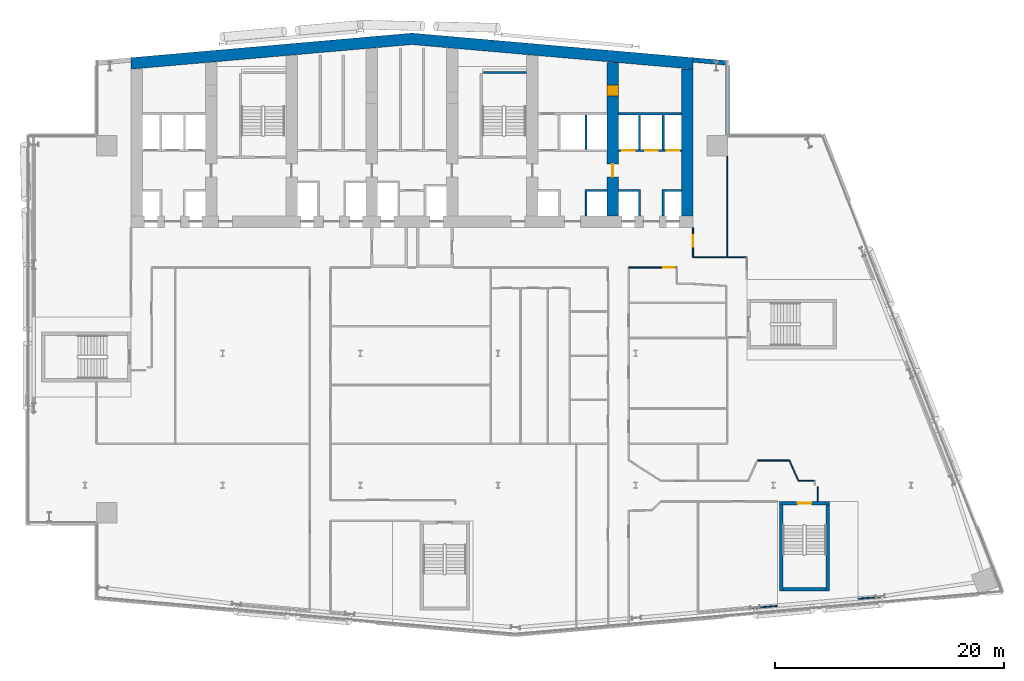
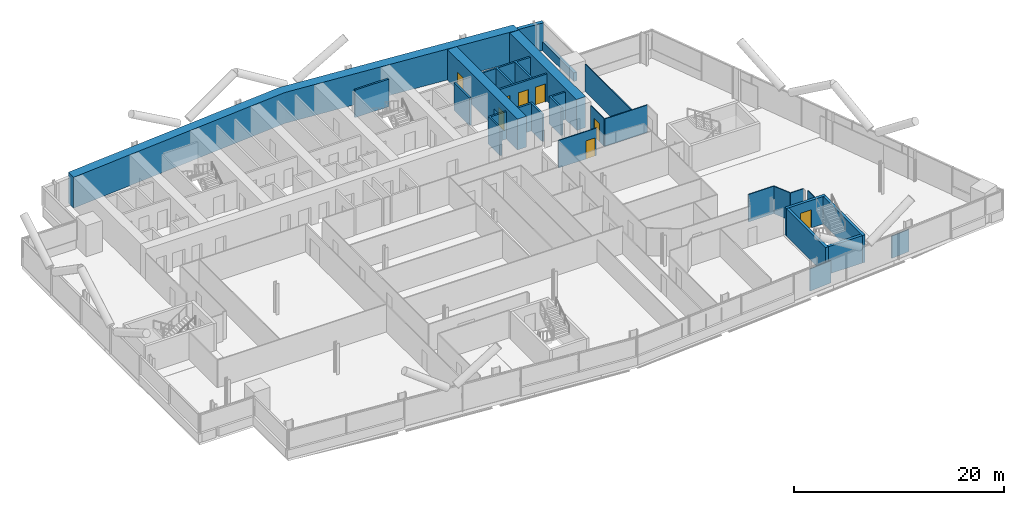
# One storey, part 18 of 27: 26 walls, 8 doors, 8 openings.
"""IFC4 building model written with IfcOpenShell, lengths in metres."""

from ifc_helpers import new_model, si_unit, direction, frame, frame_2d, origin, place, context, subcontext, project, spatial, polyline, rectangle, outline, extrude, material, layer, layer_set, type_object, element, fill, save


model = new_model("IFC4")

# Units and contexts
model_context = context("Model", 3, precision=1e-05, world=origin(), true_north=direction((0.0, 1.0)))
body_context = subcontext(model_context, "Body", "Model", "MODEL_VIEW")
ifc_project = project(units=[si_unit("LENGTHUNIT", "METRE"), si_unit("AREAUNIT", "SQUARE_METRE"), si_unit("VOLUMEUNIT", "CUBIC_METRE"), si_unit("PLANEANGLEUNIT", "RADIAN"), si_unit("MASSUNIT", "GRAM", prefix="KILO")], contexts=[model_context])

# Site, building, storey
site_placement = place(None, origin())
site = spatial("IfcSite", under=ifc_project, at=site_placement, CompositionType="ELEMENT")
building_placement = place(site_placement, origin())
building = spatial("IfcBuilding", under=site, at=building_placement, Name="Wharfspan Tower", CompositionType="ELEMENT")
storey_placement = place(building_placement, frame((0.0, 0.0, 118.300049)))
storey = spatial("IfcBuildingStorey", under=building, at=storey_placement, Name="L27", CompositionType="ELEMENT", Elevation=118.300049)

# Wall, opening, door
ifc_material_1 = material(Name="Gypsum board on steel studs", Category="steel")
ifc_layer_1 = layer(ifc_material_1, 0.100098)
ifc_layer_set_1 = layer_set([ifc_layer_1], Name="Gypsum board on steel studs")
wall_type_1 = type_object("IfcWallType", Name="Compartment wall 100 EI 60", PredefinedType="PARTITIONING", material=ifc_layer_set_1)
wall_1_placement = place(storey_placement, frame((59.399902, 30.5, 0.0), z_axis=(0.0, 0.0, 1.0), x_axis=(1.0, 0.0, 0.0)))
wall_1 = element("IfcWall", 1, at=wall_1_placement, inside=storey, type_object=wall_type_1, Name="Partition L27.w041", PredefinedType="PARTITIONING", context=body_context, shape_type="SweptSolid", body=[
    extrude(rectangle(XDim=4.175049, YDim=0.100098, at=frame_2d((2.087402, 0.0))), origin(), (0.0, 0.0, 1.0), 3.199951),
])
opening_1_placement = place(wall_1_placement, frame((3.024902, 0.0, 0.0)))
opening_1 = element("IfcOpeningElement", 2, at=opening_1_placement, cuts=wall_1, Name="Opening B3-25", PredefinedType="OPENING", context=body_context, shape_type="SweptSolid", body=[
    extrude(rectangle(XDim=1.0, YDim=2.100098, at=frame_2d((0.5, 1.050049))), frame((0.0, 0.060059, 0.0), z_axis=(0.0, -1.0, 0.0), x_axis=(1.0, 0.0, 0.0)), (0.0, 0.0, 1.0), 0.120117),
])
ifc_material_2 = material(Name="Fire-rated timber door leaf in steel frame", Category="steel")
door_type_1 = type_object("IfcDoorType", Name="Door 1000 FD30S Right", OperationType="SINGLE_SWING_RIGHT", PredefinedType="DOOR", material=ifc_material_2)
door_1_placement = place(opening_1_placement, origin())
door_1 = element("IfcDoor", 3, at=door_1_placement, inside=storey, type_object=door_type_1, Name="Door B3-25", OperationType="SINGLE_SWING_RIGHT", OverallHeight=2.100098, OverallWidth=1.0, PredefinedType="DOOR", context=body_context, shape_type="SweptSolid", body=[
    extrude(rectangle(XDim=1.0, YDim=2.100098, at=frame_2d((0.5, 1.050049))), frame((0.0, 0.024902, 0.0), z_axis=(0.0, -1.0, 0.0), x_axis=(1.0, 0.0, 0.0)), (0.0, 0.0, 1.0), 0.050049),
])
fill(opening_1, door_1)

wall_2_placement = place(storey_placement, frame((65.0, 31.399902, 0.0), z_axis=(0.0, 0.0, 1.0), x_axis=(0.0, 1.0, 0.0)))
wall_2 = element("IfcWall", 4, at=wall_2_placement, inside=storey, type_object=wall_type_1, Name="Partition L27.w048", PredefinedType="PARTITIONING", context=body_context, shape_type="SweptSolid", body=[
    extrude(rectangle(XDim=2.580078, YDim=0.100098, at=frame_2d((1.290039, 0.0))), origin(), (0.0, 0.0, 1.0), 3.199951),
])
opening_2_placement = place(wall_2_placement, frame((0.899902, 0.0, 0.0)))
opening_2 = element("IfcOpeningElement", 5, at=opening_2_placement, cuts=wall_2, Name="Opening B3-27", PredefinedType="OPENING", context=body_context, shape_type="SweptSolid", body=[
    extrude(rectangle(XDim=1.0, YDim=2.100098, at=frame_2d((0.5, 1.050049))), frame((0.0, 0.060059, 0.0), z_axis=(0.0, -1.0, 0.0), x_axis=(1.0, 0.0, 0.0)), (0.0, 0.0, 1.0), 0.120117),
])
door_2_placement = place(opening_2_placement, origin())
door_2 = element("IfcDoor", 6, at=door_2_placement, inside=storey, type_object=door_type_1, Name="Door B3-27", OperationType="SINGLE_SWING_RIGHT", OverallHeight=2.100098, OverallWidth=1.0, PredefinedType="DOOR", context=body_context, shape_type="SweptSolid", body=[
    extrude(rectangle(XDim=1.0, YDim=2.100098, at=frame_2d((0.5, 1.050049))), frame((0.0, 0.024902, 0.0), z_axis=(0.0, -1.0, 0.0), x_axis=(1.0, 0.0, 0.0)), (0.0, 0.0, 1.0), 0.050049),
])
fill(opening_2, door_2)

# Walls
wall_3_placement = place(storey_placement, frame((65.0, 31.399902, 0.0), z_axis=(0.0, 0.0, 1.0), x_axis=(1.0, 0.0, 0.0)))
element("IfcWall", 7, at=wall_3_placement, inside=storey, type_object=wall_type_1, Name="Partition L27.w049", PredefinedType="PARTITIONING", context=body_context, shape_type="SweptSolid", body=[
    extrude(rectangle(XDim=4.689941, YDim=0.100098, at=frame_2d((2.344971, 0.0))), origin(), (0.0, 0.0, 1.0), 3.199951),
])
wall_4_placement = place(storey_placement, frame((68.0, 31.399902, 0.0), z_axis=(0.0, 0.0, 1.0), x_axis=(0.0, 1.0, 0.0)))
element("IfcWall", 8, at=wall_4_placement, inside=storey, type_object=wall_type_1, Name="Partition L27.w057", PredefinedType="PARTITIONING", context=body_context, shape_type="SweptSolid", body=[
    extrude(rectangle(XDim=8.790039, YDim=0.100098, at=frame_2d((4.39502, 0.0))), origin(), (0.0, 0.0, 1.0), 3.199951),
])
wall_5_placement = place(storey_placement, frame((70.600098, 13.675049, 0.0), z_axis=(0.0, 0.0, 1.0), x_axis=(1.0, 0.0, 0.0)))
element("IfcWall", 9, at=wall_5_placement, inside=storey, type_object=wall_type_1, Name="Partition L27.w061", PredefinedType="PARTITIONING", context=body_context, shape_type="SweptSolid", body=[
    extrude(rectangle(XDim=2.799805, YDim=0.100098, at=frame_2d((1.399902, 0.0))), origin(), (0.0, 0.0, 1.0), 3.199951),
])
wall_6_placement = place(storey_placement, frame((74.199951, 11.89502, 0.0), z_axis=(0.0, 0.0, 1.0), x_axis=(1.0, 0.0, 0.0)))
element("IfcWall", 10, at=wall_6_placement, inside=storey, type_object=wall_type_1, Name="Partition L27.w062", PredefinedType="PARTITIONING", context=body_context, shape_type="SweptSolid", body=[
    extrude(rectangle(XDim=1.415039, YDim=0.100098, at=frame_2d((0.70752, 0.0))), origin(), (0.0, 0.0, 1.0), 3.199951),
])
wall_7_placement = place(storey_placement, frame((74.199951, 11.89502, 0.0), z_axis=(0.0, 0.0, 1.0), x_axis=(-0.409954, 0.912107, 0.0)))
element("IfcWall", 11, at=wall_7_placement, inside=storey, type_object=wall_type_1, Name="Partition L27.w063", PredefinedType="PARTITIONING", context=body_context, shape_type="SweptSolid", body=[
    extrude(rectangle(XDim=1.95166, YDim=0.100098, at=frame_2d((0.97583, 0.0))), origin(), (0.0, 0.0, 1.0), 3.199951),
])
wall_8_placement = place(storey_placement, frame((75.86499, 10.114746, 0.0), z_axis=(0.0, 0.0, 1.0), x_axis=(0.0, 1.0, 0.0)))
element("IfcWall", 12, at=wall_8_placement, inside=storey, type_object=wall_type_1, Name="Partition L27.w065", PredefinedType="PARTITIONING", context=body_context, shape_type="SweptSolid", body=[
    extrude(rectangle(XDim=1.280273, YDim=0.100098, at=frame_2d((0.640137, 0.0))), origin(), (0.0, 0.0, 1.0), 3.199951),
])
ifc_material_3 = material(Name="Concrete C70/85", Category="concrete")
ifc_layer_2 = layer(ifc_material_3, 1.0)
ifc_layer_set_2 = layer_set([ifc_layer_2], Name="Concrete C70/85")
wall_type_2 = type_object("IfcWallType", Name="Core wall 1000 C70/85", PredefinedType="SHEAR", material=ifc_layer_set_2)
wall_9_placement = place(storey_placement, frame((0.0, 0.0, -0.000244)))
element("IfcWall", 13, at=wall_9_placement, inside=storey, type_object=wall_type_2, Name="Core rear wall L27", PredefinedType="SHEAR", context=body_context, shape_type="SweptSolid", body=[
    extrude(outline(polyline([(16.0, 47.783691), (40.5, 49.927002), (65.0, 47.783691), (65.0, 48.787354), (40.5, 50.930908), (16.0, 48.787354), (16.0, 47.783691)])), origin(), (0.0, 0.0, 1.0), 3.600098),
])

# Wall, openings, doors
wall_10_placement = place(storey_placement, frame((58.0, 35.0, 0.0), z_axis=(0.0, 0.0, 1.0), x_axis=(0.0, 1.0, 0.0)))
wall_10 = element("IfcWall", 14, at=wall_10_placement, inside=storey, type_object=wall_type_2, Name="Core cross wall X7 L27", PredefinedType="SHEAR", context=body_context, shape_type="SweptSolid", body=[
    extrude(rectangle(XDim=13.352295, YDim=1.0, at=frame_2d((6.67627, 0.0))), origin(), (0.0, 0.0, 1.0), 3.599854),
])
opening_3_placement = place(wall_10_placement, frame((10.425537, 0.0, 0.0)))
opening_3 = element("IfcOpeningElement", 15, at=opening_3_placement, cuts=wall_10, Name="Opening CD27.7X", PredefinedType="OPENING", context=body_context, shape_type="SweptSolid", body=[
    extrude(rectangle(XDim=1.0, YDim=2.100098, at=frame_2d((0.5, 1.050049))), frame((0.0, 0.51001, 0.0), z_axis=(0.0, -1.0, 0.0), x_axis=(1.0, 0.0, 0.0)), (0.0, 0.0, 1.0), 1.02002),
])
opening_4_placement = place(wall_10_placement, frame((3.399902, 0.0, 0.0)))
opening_4 = element("IfcOpeningElement", 16, at=opening_4_placement, cuts=wall_10, Name="Opening CC27.7", PredefinedType="OPENING", context=body_context, shape_type="SweptSolid", body=[
    extrude(rectangle(XDim=1.100098, YDim=2.100098, at=frame_2d((0.550049, 1.050049))), frame((0.0, 0.51001, 0.0), z_axis=(0.0, -1.0, 0.0), x_axis=(1.0, 0.0, 0.0)), (0.0, 0.0, 1.0), 1.02002),
])
ifc_material_4 = material(Name="Steel door leaf", Category="steel")
door_type_2 = type_object("IfcDoorType", Name="Core corridor door 1100x2100", OperationType="SINGLE_SWING_LEFT", PredefinedType="DOOR", material=ifc_material_4)
door_3_placement = place(opening_4_placement, origin())
door_3 = element("IfcDoor", 17, at=door_3_placement, inside=storey, type_object=door_type_2, Name="xd:L27:7", OperationType="SINGLE_SWING_LEFT", OverallHeight=2.100098, OverallWidth=1.100098, PredefinedType="DOOR", context=body_context, shape_type="SweptSolid", body=[
    extrude(rectangle(XDim=1.100098, YDim=2.100098, at=frame_2d((0.550049, 1.050049))), frame((0.0, 0.024902, 0.0), z_axis=(0.0, -1.0, 0.0), x_axis=(1.0, 0.0, 0.0)), (0.0, 0.0, 1.0), 0.050049),
])
fill(opening_4, door_3)
door_type_3 = type_object("IfcDoorType", Name="Core room door 1000x2100", OperationType="SINGLE_SWING_LEFT", PredefinedType="DOOR", material=ifc_material_4)
door_4_placement = place(opening_3_placement, origin())
door_4 = element("IfcDoor", 18, at=door_4_placement, inside=storey, type_object=door_type_3, Name="d:L27:7:sx", OperationType="SINGLE_SWING_LEFT", OverallHeight=2.100098, OverallWidth=1.0, PredefinedType="DOOR", context=body_context, shape_type="SweptSolid", body=[
    extrude(rectangle(XDim=1.0, YDim=2.100098, at=frame_2d((0.5, 1.050049))), frame((0.0, 0.499756, 0.0), z_axis=(0.0, -1.0, 0.0), x_axis=(1.0, 0.0, 0.0)), (0.0, 0.0, 1.0), 0.999512),
])
fill(opening_3, door_4)

# Walls
wall_11_placement = place(storey_placement, frame((64.5, 35.0, 0.0), z_axis=(0.0, 0.0, 1.0), x_axis=(0.0, 1.0, 0.0)))
element("IfcWall", 19, at=wall_11_placement, inside=storey, type_object=wall_type_2, Name="Core cross wall EW1 L27", PredefinedType="SHEAR", context=body_context, shape_type="SweptSolid", body=[
    extrude(rectangle(XDim=12.783691, YDim=1.0, at=frame_2d((6.391846, 0.0))), origin(), (0.0, 0.0, 1.0), 3.599854),
])
ifc_material_5 = material(Name="Concrete C30/37", Category="concrete")
ifc_layer_3 = layer(ifc_material_5, 0.199951)
ifc_layer_set_3 = layer_set([ifc_layer_3], Name="Concrete C30/37")
wall_type_3 = type_object("IfcWallType", Name="Lift shaft wall 200", PredefinedType="PARTITIONING", material=ifc_layer_set_3)
wall_12_placement = place(storey_placement, frame((0.0, 0.0, -0.000244)))
element("IfcWall", 20, at=wall_12_placement, inside=storey, type_object=wall_type_3, Name="sw:L27:FM6.1", PredefinedType="PARTITIONING", context=body_context, shape_type="SweptSolid", body=[
    extrude(outline(polyline([(55.56665, 37.300049), (55.766602, 37.300049), (57.5, 37.300049), (57.5, 37.100098), (55.766602, 37.100098), (55.766602, 35.0), (55.56665, 35.0), (55.56665, 37.300049)])), origin(), (0.0, 0.0, 1.0), 3.200195),
])
wall_13_placement = place(storey_placement, frame((0.0, 0.0, -0.000244)))
element("IfcWall", 21, at=wall_13_placement, inside=storey, type_object=wall_type_3, Name="sw:L27:RM6.1", PredefinedType="PARTITIONING", context=body_context, shape_type="SweptSolid", body=[
    extrude(outline(polyline([(55.56665, 40.800049), (55.56665, 43.800049), (55.766602, 43.800049), (55.766602, 40.800049), (55.56665, 40.800049)])), origin(), (0.0, 0.0, 1.0), 3.200195),
])

# Wall, openings, doors
wall_14_placement = place(storey_placement, frame((58.5, 40.699951, 0.0), z_axis=(0.0, 0.0, 1.0), x_axis=(1.0, 0.0, 0.0)))
wall_14 = element("IfcWall", 22, at=wall_14_placement, inside=storey, type_object=wall_type_3, Name="sw:L27:RF7", PredefinedType="PARTITIONING", context=body_context, shape_type="SweptSolid", body=[
    extrude(rectangle(XDim=5.5, YDim=0.199951, at=frame_2d((2.75, 0.0))), origin(), (0.0, 0.0, 1.0), 3.199951),
])
opening_5_placement = place(wall_14_placement, frame((0.31665, 0.0, 0.0)))
opening_5 = element("IfcOpeningElement", 23, at=opening_5_placement, cuts=wall_14, Name="Opening LD.LA8.L27", PredefinedType="OPENING", context=body_context, shape_type="SweptSolid", body=[
    extrude(rectangle(XDim=1.100098, YDim=2.100098, at=frame_2d((0.550049, 1.050049))), frame((0.0, 0.109863, 0.0), z_axis=(0.0, -1.0, 0.0), x_axis=(1.0, 0.0, 0.0)), (0.0, 0.0, 1.0), 0.219971),
])
opening_6_placement = place(wall_14_placement, frame((2.31665, 0.0, 0.0)))
opening_6 = element("IfcOpeningElement", 24, at=opening_6_placement, cuts=wall_14, Name="Opening LD.LA9.L27", PredefinedType="OPENING", context=body_context, shape_type="SweptSolid", body=[
    extrude(rectangle(XDim=1.100098, YDim=2.100098, at=frame_2d((0.550049, 1.050049))), frame((0.0, 0.109863, 0.0), z_axis=(0.0, -1.0, 0.0), x_axis=(1.0, 0.0, 0.0)), (0.0, 0.0, 1.0), 0.219971),
])
opening_7_placement = place(wall_14_placement, frame((4.199951, 0.0, 0.0)))
opening_7 = element("IfcOpeningElement", 25, at=opening_7_placement, cuts=wall_14, Name="Opening LD.LA10.L27", PredefinedType="OPENING", context=body_context, shape_type="SweptSolid", body=[
    extrude(rectangle(XDim=1.100098, YDim=2.100098, at=frame_2d((0.550049, 1.050049))), frame((0.0, 0.109863, 0.0), z_axis=(0.0, -1.0, 0.0), x_axis=(1.0, 0.0, 0.0)), (0.0, 0.0, 1.0), 0.219971),
])
ifc_material_6 = material(Name="Stainless steel", Category="steel")
door_type_4 = type_object("IfcDoorType", Name="Lift landing door 1100x2100", OperationType="DOUBLE_DOOR_SLIDING", PredefinedType="DOOR", material=ifc_material_6)
door_5_placement = place(opening_5_placement, origin())
door_5 = element("IfcDoor", 26, at=door_5_placement, inside=storey, type_object=door_type_4, Name="Landing door LA8 L27", OperationType="DOUBLE_DOOR_SLIDING", OverallHeight=2.100098, OverallWidth=1.100098, PredefinedType="DOOR", context=body_context, shape_type="SweptSolid", body=[
    extrude(rectangle(XDim=1.100098, YDim=2.100098, at=frame_2d((0.550049, 1.050049))), frame((0.0, 0.024902, 0.0), z_axis=(0.0, -1.0, 0.0), x_axis=(1.0, 0.0, 0.0)), (0.0, 0.0, 1.0), 0.050049),
])
fill(opening_5, door_5)
door_6_placement = place(opening_6_placement, origin())
door_6 = element("IfcDoor", 27, at=door_6_placement, inside=storey, type_object=door_type_4, Name="Landing door LA9 L27", OperationType="DOUBLE_DOOR_SLIDING", OverallHeight=2.100098, OverallWidth=1.100098, PredefinedType="DOOR", context=body_context, shape_type="SweptSolid", body=[
    extrude(rectangle(XDim=1.100098, YDim=2.100098, at=frame_2d((0.550049, 1.050049))), frame((0.0, 0.024902, 0.0), z_axis=(0.0, -1.0, 0.0), x_axis=(1.0, 0.0, 0.0)), (0.0, 0.0, 1.0), 0.050049),
])
fill(opening_6, door_6)
door_7_placement = place(opening_7_placement, origin())
door_7 = element("IfcDoor", 28, at=door_7_placement, inside=storey, type_object=door_type_4, Name="Landing door LA10 L27", OperationType="DOUBLE_DOOR_SLIDING", OverallHeight=2.100098, OverallWidth=1.100098, PredefinedType="DOOR", context=body_context, shape_type="SweptSolid", body=[
    extrude(rectangle(XDim=1.100098, YDim=2.100098, at=frame_2d((0.550049, 1.050049))), frame((0.0, 0.024902, 0.0), z_axis=(0.0, -1.0, 0.0), x_axis=(1.0, 0.0, 0.0)), (0.0, 0.0, 1.0), 0.050049),
])
fill(opening_7, door_7)

# Walls
wall_15_placement = place(storey_placement, frame((0.0, 0.0, -0.000244)))
element("IfcWall", 29, at=wall_15_placement, inside=storey, type_object=wall_type_3, Name="sw:L27:FM7.0", PredefinedType="PARTITIONING", context=body_context, shape_type="SweptSolid", body=[
    extrude(outline(polyline([(60.233398, 37.100098), (58.5, 37.100098), (58.5, 37.300049), (60.233398, 37.300049), (60.43335, 37.300049), (60.43335, 35.0), (60.233398, 35.0), (60.233398, 37.100098)])), origin(), (0.0, 0.0, 1.0), 3.200195),
])
wall_16_placement = place(storey_placement, frame((0.0, 0.0, -0.000244)))
element("IfcWall", 30, at=wall_16_placement, inside=storey, type_object=wall_type_3, Name="sw:L27:FM7.1", PredefinedType="PARTITIONING", context=body_context, shape_type="SweptSolid", body=[
    extrude(outline(polyline([(62.300049, 37.300049), (62.5, 37.300049), (64.0, 37.300049), (64.0, 37.100098), (62.5, 37.100098), (62.5, 35.0), (62.300049, 35.0), (62.300049, 37.300049)])), origin(), (0.0, 0.0, 1.0), 3.200195),
])
wall_17_placement = place(storey_placement, frame((0.0, 0.0, -0.000244)))
element("IfcWall", 31, at=wall_17_placement, inside=storey, type_object=wall_type_3, Name="sw:L27:RM7.0", PredefinedType="PARTITIONING", context=body_context, shape_type="SweptSolid", body=[
    extrude(outline(polyline([(60.43335, 40.800049), (60.233398, 40.800049), (60.233398, 43.800049), (58.5, 43.800049), (58.5, 44.0), (64.0, 44.0), (64.0, 43.800049), (62.5, 43.800049), (62.5, 40.800049), (62.300049, 40.800049), (62.300049, 43.800049), (60.43335, 43.800049), (60.43335, 40.800049)])), origin(), (0.0, 0.0, 1.0), 3.200195),
])
ifc_layer_4 = layer(ifc_material_1, 0.100098)
ifc_layer_set_4 = layer_set([ifc_layer_4], Name="Gypsum board on steel studs")
wall_type_4 = type_object("IfcWallType", Name="Partition 100", PredefinedType="PARTITIONING", material=ifc_layer_set_4)
wall_18_placement = place(storey_placement, frame((69.909912, 0.780029, 0.0), z_axis=(0.0, 0.0, 1.0), x_axis=(0.99619, 0.087259, 0.0)))
element("IfcWall", 32, at=wall_18_placement, inside=storey, type_object=wall_type_4, Name="Partition L27.w060", PredefinedType="PARTITIONING", context=body_context, shape_type="SweptSolid", body=[
    extrude(rectangle(XDim=2.445312, YDim=0.100098, at=frame_2d((1.222656, 0.0))), origin(), (0.0, 0.0, 1.0), 2.579834),
])
wall_19_placement = place(storey_placement, frame((79.385986, 1.606689, 0.0), z_axis=(0.0, 0.0, 1.0), x_axis=(0.996228, 0.08682, 0.0)))
element("IfcWall", 33, at=wall_19_placement, inside=storey, type_object=wall_type_4, Name="Partition L27.w066", PredefinedType="PARTITIONING", context=body_context, shape_type="SweptSolid", body=[
    extrude(rectangle(XDim=1.996582, YDim=0.100098, at=frame_2d((0.998291, 0.0))), origin(), (0.0, 0.0, 1.0), 2.579834),
])
ifc_material_7 = material(Name="Concrete C40/50", Category="concrete")
ifc_layer_5 = layer(ifc_material_7, 0.350098)
ifc_layer_set_5 = layer_set([ifc_layer_5], Name="Concrete C40/50")
wall_type_5 = type_object("IfcWallType", Name="SPANDREL EXPOSED CONCRETE 350", PredefinedType="SOLIDWALL", material=ifc_layer_set_5)
wall_20_placement = place(storey_placement, frame((68.004883, 42.179932, 0.0), z_axis=(0.0, 0.0, 1.0), x_axis=(0.0, 1.0, 0.0)))
element("IfcWall", 34, at=wall_20_placement, inside=storey, type_object=wall_type_5, Name="Spandrel upstand L27 NRE-V", PredefinedType="SOLIDWALL", context=body_context, shape_type="SweptSolid", body=[
    extrude(rectangle(XDim=5.946533, YDim=0.350098, at=frame_2d((2.973145, 0.0))), origin(), (0.0, 0.0, 1.0), 1.0),
])

# Wall, opening, door
ifc_layer_6 = layer(ifc_material_7, 0.300049)
ifc_layer_set_6 = layer_set([ifc_layer_6], Name="Concrete C40/50")
wall_type_6 = type_object("IfcWallType", Name="Stair core wall 300", PredefinedType="SHEAR", material=ifc_layer_set_6)
wall_21_placement = place(storey_placement, frame((72.541016, 9.94458, 0.0), z_axis=(0.0, 0.0, 1.0), x_axis=(1.0, 0.0, 0.0)))
wall_21 = element("IfcWall", 35, at=wall_21_placement, inside=storey, type_object=wall_type_6, Name="ST5 stair enclosure wall L27", PredefinedType="SHEAR", context=body_context, shape_type="SweptSolid", body=[
    extrude(rectangle(XDim=4.350098, YDim=0.300049, at=frame_2d((2.175049, 0.0))), origin(), (0.0, 0.0, 1.0), 3.199951),
])
opening_8_placement = place(wall_21_placement, frame((1.574951, 0.0, 0.0)))
opening_8 = element("IfcOpeningElement", 36, at=opening_8_placement, cuts=wall_21, Name="Opening SD5.L27", PredefinedType="OPENING", context=body_context, shape_type="SweptSolid", body=[
    extrude(rectangle(XDim=1.199951, YDim=2.100098, at=frame_2d((0.600098, 1.050049))), frame((0.0, 0.159912, 0.0), z_axis=(0.0, -1.0, 0.0), x_axis=(1.0, 0.0, 0.0)), (0.0, 0.0, 1.0), 0.320068),
])
door_type_5 = type_object("IfcDoorType", Name="Stair door 1200x2100", OperationType="SINGLE_SWING_LEFT", PredefinedType="DOOR", material=ifc_material_4)
door_8_placement = place(opening_8_placement, origin())
door_8 = element("IfcDoor", 37, at=door_8_placement, inside=storey, type_object=door_type_5, Name="sd:L27:ST5z2", OperationType="SINGLE_SWING_RIGHT", OverallHeight=2.100098, OverallWidth=1.199951, PredefinedType="DOOR", context=body_context, shape_type="SweptSolid", body=[
    extrude(rectangle(XDim=1.199951, YDim=2.100098, at=frame_2d((0.600098, 1.050049))), frame((0.0, 0.024902, 0.0), z_axis=(0.0, -1.0, 0.0), x_axis=(1.0, 0.0, 0.0)), (0.0, 0.0, 1.0), 0.050049),
])
fill(opening_8, door_8)

# Walls
for number, where, z_axis, x_axis, name in (
    (38, (72.690918, 2.294678, 0.0), (0.0, 0.0, 1.0), (0.0, 1.0, 0.0), "ST5 stair enclosure wall L27"),
    (39, (76.740967, 2.294678, 0.0), (0.0, 0.0, 1.0), (0.0, 1.0, 0.0), "ST5 stair enclosure wall L27"),
):
    element("IfcWall", number, at=place(storey_placement, frame(where, z_axis=z_axis, x_axis=x_axis)), inside=storey, type_object=wall_type_6, Name=name, PredefinedType="SHEAR", context=body_context, shape_type="SweptSolid", body=[
        extrude(rectangle(XDim=7.5, YDim=0.300049, at=frame_2d((3.75, 0.0))), origin(), (0.0, 0.0, 1.0), 3.199951),
    ])
wall_22_placement = place(storey_placement, frame((72.841064, 2.44458, 0.0), z_axis=(0.0, 0.0, 1.0), x_axis=(1.0, 0.0, 0.0)))
element("IfcWall", 40, at=wall_22_placement, inside=storey, type_object=wall_type_6, Name="ST5 stair enclosure wall L27", PredefinedType="SHEAR", context=body_context, shape_type="SweptSolid", body=[
    extrude(rectangle(XDim=3.75, YDim=0.300049, at=frame_2d((1.875, 0.0))), origin(), (0.0, 0.0, 1.0), 3.199951),
])
ifc_layer_7 = layer(ifc_material_7, 0.199951)
ifc_layer_set_7 = layer_set([ifc_layer_7], Name="Concrete C40/50")
wall_type_7 = type_object("IfcWallType", Name="Stair shaft wall 200", PredefinedType="SHEAR", material=ifc_layer_set_7)
wall_23_placement = place(storey_placement, frame((46.75, 47.5, 0.0), z_axis=(0.0, 0.0, 1.0), x_axis=(1.0, 0.0, 0.0)))
element("IfcWall", 41, at=wall_23_placement, inside=storey, type_object=wall_type_7, Name="ST2 stair enclosure wall L27", PredefinedType="SHEAR", context=body_context, shape_type="SweptSolid", body=[
    extrude(rectangle(XDim=3.75, YDim=0.199951, at=frame_2d((1.875, 0.0))), origin(), (0.0, 0.0, 1.0), 3.199951),
])
ifc_layer_8 = layer(ifc_material_7, 0.399902)
ifc_layer_set_8 = layer_set([ifc_layer_8], Name="Concrete C40/50")
wall_type_8 = type_object("IfcWallType", Name="WALL EXPOSED CONCRETE 400", PredefinedType="SOLIDWALL", material=ifc_layer_set_8)
wall_24_placement = place(storey_placement, frame((67.982666, 48.325684, 0.0), z_axis=(0.0, 0.0, 1.0), x_axis=(-0.996194, 0.087168, 0.0)))
element("IfcWall", 42, at=wall_24_placement, inside=storey, type_object=wall_type_8, Name="Rear wall N2", PredefinedType="SOLIDWALL", context=body_context, shape_type="SweptSolid", body=[
    extrude(rectangle(XDim=2.994141, YDim=0.399902, at=frame_2d((1.49707, 0.0))), origin(), (0.0, 0.0, 1.0), 3.199951),
])

save(model, "model.ifc")
